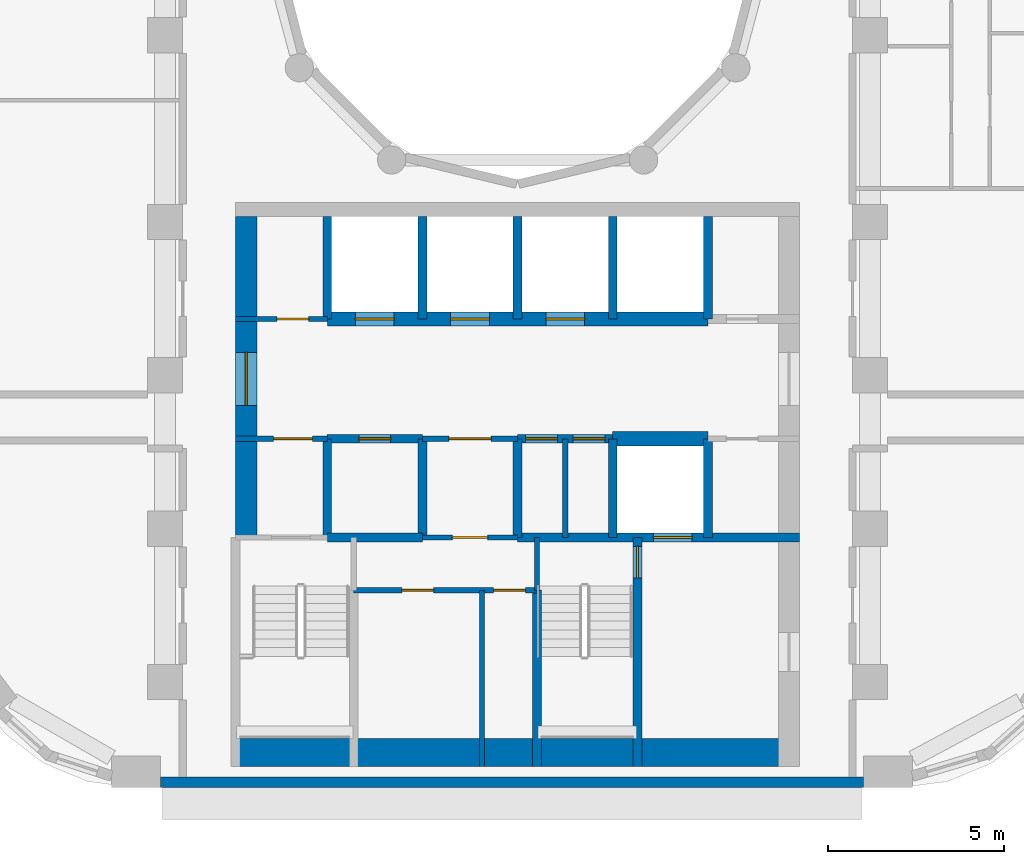
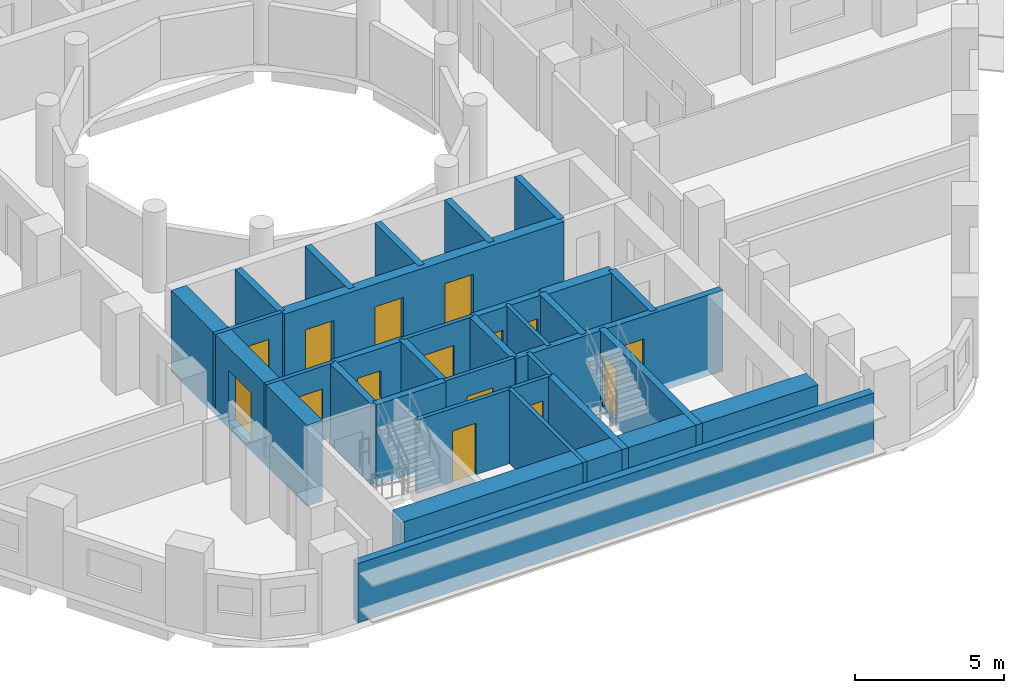
# One storey, part 3 of 13: 29 walls, 15 doors, 15 openings.
"""IFC4 building model written with IfcOpenShell, lengths in metres."""

from ifc_helpers import new_model, si_unit, direction, frame, frame_2d, origin, place, context, subcontext, project, spatial, rectangle, extrude, material, layer, layer_set, type_object, element, fill, save


model = new_model("IFC4")

# Units and contexts
model_context = context("Model", 3, precision=1e-05, world=origin(), true_north=direction((0.0, 1.0)))
body_context = subcontext(model_context, "Body", "Model", "MODEL_VIEW")
ifc_project = project(units=[si_unit("LENGTHUNIT", "METRE"), si_unit("AREAUNIT", "SQUARE_METRE"), si_unit("VOLUMEUNIT", "CUBIC_METRE"), si_unit("PLANEANGLEUNIT", "RADIAN"), si_unit("MASSUNIT", "GRAM", prefix="KILO")], contexts=[model_context])

# Site, building, storey
site_placement = place(None, origin())
site = spatial("IfcSite", under=ifc_project, at=site_placement, CompositionType="ELEMENT")
building_placement = place(site_placement, origin())
building = spatial("IfcBuilding", under=site, at=building_placement, Name="Nakaniwa Court", CompositionType="ELEMENT")
storey_placement = place(building_placement, frame((0.0, 0.0, 81.0)))
storey = spatial("IfcBuildingStorey", under=building, at=storey_placement, Name="L20", CompositionType="ELEMENT", Elevation=81.0)

# Wall
ifc_material_1 = material(Name="Charcoal ceramic cladding")
ifc_layer_1 = layer(ifc_material_1, 0.02, Name="Ceramic cladding")
ifc_material_2 = material(Name="Ventilated air cavity")
ifc_layer_2 = layer(ifc_material_2, 0.04, ventilated=True, Name="Ventilated cavity")
ifc_material_3 = material(Name="Mineral wool insulation")
ifc_layer_3 = layer(ifc_material_3, 0.1, Name="Insulation")
ifc_material_4 = material(Name="Cement bonded sheathing board")
ifc_layer_4 = layer(ifc_material_4, 0.012, Name="Sheathing")
ifc_material_5 = material(Name="Cold-formed galvanised stud frame with mineral wool infill")
ifc_layer_5 = layer(ifc_material_5, 0.1, Name="Stud frame")
ifc_material_6 = material(Name="Fire-rated gypsum plasterboard lining")
ifc_layer_6 = layer(ifc_material_6, 0.028, Name="Lining")
ifc_layer_set_1 = layer_set([ifc_layer_1, ifc_layer_2, ifc_layer_3, ifc_layer_4, ifc_layer_5, ifc_layer_6], Name="Charcoal ceramic faced external wall system")
wall_type_1 = type_object("IfcWallType", Name="Black ceramic faced external wall 300", PredefinedType="SOLIDWALL", material=ifc_layer_set_1)
wall_1_placement = place(storey_placement, frame((69.871337890625, 56.14990234375, 0.0), z_axis=(0.0, 0.0, 1.0), x_axis=(1.0, 0.0, 0.0)))
element("IfcWall", 1, at=wall_1_placement, inside=storey, type_object=wall_type_1, Name="L20 external wall 26", PredefinedType="SOLIDWALL", context=body_context, shape_type="SweptSolid", body=[
    extrude(rectangle(XDim=19.939697265625, YDim=0.300048828125, at=frame_2d((9.9697265625, 0.0))), origin(), (0.0, 0.0, 1.0), 2.425048828125),
])

# Wall, opening, door
ifc_material_7 = material(Name="Blockwork partition", Category="masonry")
ifc_layer_7 = layer(ifc_material_7, 0.14990234375)
ifc_layer_set_2 = layer_set([ifc_layer_7], Name="Blockwork partition")
wall_type_2 = type_object("IfcWallType", Name="Blockwork partition 150", PredefinedType="PARTITIONING", material=ifc_layer_set_2)
wall_2_placement = place(storey_placement, frame((72.0, 69.300048828125, 0.0), z_axis=(0.0, 0.0, 1.0), x_axis=(1.0, 0.0, 0.0)))
wall_2 = element("IfcWall", 2, at=wall_2_placement, inside=storey, type_object=wall_type_2, Name="Partition PW-037", PredefinedType="PARTITIONING", context=body_context, shape_type="SweptSolid", body=[
    extrude(rectangle(XDim=2.60009765625, YDim=0.14990234375, at=frame_2d((1.300048828125, 0.0))), origin(), (0.0, 0.0, 1.0), 3.02490234375),
])
opening_1_placement = place(wall_2_placement, frame((1.175048828125, 0.0, 0.0)))
opening_1 = element("IfcOpeningElement", 3, at=opening_1_placement, cuts=wall_2, Name="Opening D-05-09", PredefinedType="OPENING", context=body_context, shape_type="SweptSolid", body=[
    extrude(rectangle(XDim=0.89990234375, YDim=2.10009765625, at=frame_2d((0.449951171875, 1.050048828125))), frame((0.0, 0.0849609375, 0.0), z_axis=(0.0, -1.0, 0.0), x_axis=(1.0, 0.0, 0.0)), (0.0, 0.0, 1.0), 0.169921875),
])
ifc_material_8 = material(Name="Fire rated steel door set", Category="steel")
door_type_1 = type_object("IfcDoorType", Name="Service room door 900", OperationType="NOTDEFINED", PredefinedType="DOOR", material=ifc_material_8)
door_1_placement = place(opening_1_placement, origin())
door_1 = element("IfcDoor", 4, at=door_1_placement, inside=storey, type_object=door_type_1, Name="Door D-05-09 L20-014", OperationType="SINGLE_SWING_LEFT", OverallHeight=2.10009765625, OverallWidth=0.89990234375, PredefinedType="DOOR", context=body_context, shape_type="SweptSolid", body=[
    extrude(rectangle(XDim=0.89990234375, YDim=2.10009765625, at=frame_2d((0.449951171875, 1.050048828125))), frame((0.0, 0.02490234375, 0.0), z_axis=(0.0, -1.0, 0.0), x_axis=(1.0, 0.0, 0.0)), (0.0, 0.0, 1.0), 0.050048828125),
])
fill(opening_1, door_1)

wall_3_placement = place(storey_placement, frame((74.60302734375, 65.89990234375, 0.0), z_axis=(0.0, 0.0, 1.0), x_axis=(-1.0, 0.0, 0.0)))
wall_3 = element("IfcWall", 5, at=wall_3_placement, inside=storey, type_object=wall_type_2, Name="Partition PW-050", PredefinedType="PARTITIONING", context=body_context, shape_type="SweptSolid", body=[
    extrude(rectangle(XDim=2.60302734375, YDim=0.14990234375, at=frame_2d((1.301513671875, 0.0))), origin(), (0.0, 0.0, 1.0), 3.02490234375),
])
opening_2_placement = place(wall_3_placement, frame((0.427978515625, 0.0, 0.0)))
opening_2 = element("IfcOpeningElement", 6, at=opening_2_placement, cuts=wall_3, Name="Opening D-08-02", PredefinedType="OPENING", context=body_context, shape_type="SweptSolid", body=[
    extrude(rectangle(XDim=1.10009765625, YDim=2.10009765625, at=frame_2d((0.550048828125, 1.050048828125))), frame((0.0, 0.0849609375, 0.0), z_axis=(0.0, -1.0, 0.0), x_axis=(1.0, 0.0, 0.0)), (0.0, 0.0, 1.0), 0.169921875),
])
door_type_2 = type_object("IfcDoorType", Name="Stair lobby door 1100", OperationType="NOTDEFINED", PredefinedType="DOOR", material=ifc_material_8)
door_2_placement = place(opening_2_placement, origin())
door_2 = element("IfcDoor", 7, at=door_2_placement, inside=storey, type_object=door_type_2, Name="Door D-08-02 L20-016", OperationType="SINGLE_SWING_LEFT", OverallHeight=2.10009765625, OverallWidth=1.10009765625, PredefinedType="DOOR", context=body_context, shape_type="SweptSolid", body=[
    extrude(rectangle(XDim=1.10009765625, YDim=2.10009765625, at=frame_2d((0.550048828125, 1.050048828125))), frame((0.0, 0.02490234375, 0.0), z_axis=(0.0, -1.0, 0.0), x_axis=(1.0, 0.0, 0.0)), (0.0, 0.0, 1.0), 0.050048828125),
])
fill(opening_2, door_2)

wall_4_placement = place(storey_placement, frame((80.0029296875, 65.89990234375, 0.0), z_axis=(0.0, 0.0, 1.0), x_axis=(-1.0, 0.0, 0.0)))
wall_4 = element("IfcWall", 8, at=wall_4_placement, inside=storey, type_object=wall_type_2, Name="Partition PW-051", PredefinedType="PARTITIONING", context=body_context, shape_type="SweptSolid", body=[
    extrude(rectangle(XDim=2.705810546875, YDim=0.14990234375, at=frame_2d((1.35302734375, 0.0))), origin(), (0.0, 0.0, 1.0), 3.02490234375),
])
opening_3_placement = place(wall_4_placement, frame((0.7529296875, 0.0, 0.0)))
opening_3 = element("IfcOpeningElement", 9, at=opening_3_placement, cuts=wall_4, Name="Opening D-06-02", PredefinedType="OPENING", context=body_context, shape_type="SweptSolid", body=[
    extrude(rectangle(XDim=1.199951171875, YDim=2.10009765625, at=frame_2d((0.60009765625, 1.050048828125))), frame((0.0, 0.0849609375, 0.0), z_axis=(0.0, -1.0, 0.0), x_axis=(1.0, 0.0, 0.0)), (0.0, 0.0, 1.0), 0.169921875),
])
ifc_material_9 = material(Name="Fire rated steel double door set", Category="steel")
door_type_3 = type_object("IfcDoorType", Name="Service passage double door 1200", OperationType="NOTDEFINED", PredefinedType="DOOR", material=ifc_material_9)
door_3_placement = place(opening_3_placement, origin())
door_3 = element("IfcDoor", 10, at=door_3_placement, inside=storey, type_object=door_type_3, Name="Door D-06-02 L20-018", OperationType="DOUBLE_DOOR_SINGLE_SWING", OverallHeight=2.10009765625, OverallWidth=1.199951171875, PredefinedType="DOOR", context=body_context, shape_type="SweptSolid", body=[
    extrude(rectangle(XDim=1.199951171875, YDim=2.10009765625, at=frame_2d((0.60009765625, 1.050048828125))), frame((0.0, 0.02490234375, 0.0), z_axis=(0.0, -1.0, 0.0), x_axis=(1.0, 0.0, 0.0)), (0.0, 0.0, 1.0), 0.050048828125),
])
fill(opening_3, door_3)

wall_5_placement = place(storey_placement, frame((80.0, 63.10009765625, 0.0), z_axis=(0.0, 0.0, 1.0), x_axis=(-1.0, 0.0, 0.0)))
wall_5 = element("IfcWall", 11, at=wall_5_placement, inside=storey, type_object=wall_type_2, Name="Partition PW-059", PredefinedType="PARTITIONING", context=body_context, shape_type="SweptSolid", body=[
    extrude(rectangle(XDim=2.699951171875, YDim=0.14990234375, at=frame_2d((1.35009765625, 0.0))), origin(), (0.0, 0.0, 1.0), 3.02490234375),
])
opening_4_placement = place(wall_5_placement, frame((0.85009765625, 0.0, 0.0)))
opening_4 = element("IfcOpeningElement", 12, at=opening_4_placement, cuts=wall_5, Name="Opening D-23-02", PredefinedType="OPENING", context=body_context, shape_type="SweptSolid", body=[
    extrude(rectangle(XDim=1.0, YDim=2.10009765625, at=frame_2d((0.5, 1.050048828125))), frame((0.0, 0.0849609375, 0.0), z_axis=(0.0, -1.0, 0.0), x_axis=(1.0, 0.0, 0.0)), (0.0, 0.0, 1.0), 0.169921875),
])
door_type_4 = type_object("IfcDoorType", Name="Service room door 1000", OperationType="NOTDEFINED", PredefinedType="DOOR", material=ifc_material_8)
door_4_placement = place(opening_4_placement, origin())
door_4 = element("IfcDoor", 13, at=door_4_placement, inside=storey, type_object=door_type_4, Name="Door D-23-02 L20-022", OperationType="SINGLE_SWING_LEFT", OverallHeight=2.10009765625, OverallWidth=1.0, PredefinedType="DOOR", context=body_context, shape_type="SweptSolid", body=[
    extrude(rectangle(XDim=1.0, YDim=2.10009765625, at=frame_2d((0.5, 1.050048828125))), frame((0.0, 0.02490234375, 0.0), z_axis=(0.0, -1.0, 0.0), x_axis=(1.0, 0.0, 0.0)), (0.0, 0.0, 1.0), 0.050048828125),
])
fill(opening_4, door_4)

# Wall
wall_6_placement = place(storey_placement, frame((81.35009765625, 63.10009765625, 0.0), z_axis=(0.0, 0.0, 1.0), x_axis=(0.0, 1.0, 0.0)))
element("IfcWall", 14, at=wall_6_placement, inside=storey, type_object=wall_type_2, Name="Partition PW-060", PredefinedType="PARTITIONING", context=body_context, shape_type="SweptSolid", body=[
    extrude(rectangle(XDim=2.7998046875, YDim=0.14990234375, at=frame_2d((1.39990234375, 0.0))), origin(), (0.0, 0.0, 1.0), 3.02490234375),
])

# Wall, openings, doors
wall_7_placement = place(storey_placement, frame((80.550048828125, 61.60009765625, 0.0), z_axis=(0.0, 0.0, 1.0), x_axis=(-1.0, 0.0, 0.0)))
wall_7 = element("IfcWall", 15, at=wall_7_placement, inside=storey, type_object=wall_type_2, Name="Partition PW-067", PredefinedType="PARTITIONING", context=body_context, shape_type="SweptSolid", body=[
    extrude(rectangle(XDim=5.199951171875, YDim=0.14990234375, at=frame_2d((2.60009765625, 0.0))), origin(), (0.0, 0.0, 1.0), 3.02490234375),
])
opening_5_placement = place(wall_7_placement, frame((2.929931640625, 0.0, 0.0)))
opening_5 = element("IfcOpeningElement", 16, at=opening_5_placement, cuts=wall_7, Name="Opening D-05-15", PredefinedType="OPENING", context=body_context, shape_type="SweptSolid", body=[
    extrude(rectangle(XDim=0.89990234375, YDim=2.10009765625, at=frame_2d((0.449951171875, 1.050048828125))), frame((0.0, 0.0849609375, 0.0), z_axis=(0.0, -1.0, 0.0), x_axis=(1.0, 0.0, 0.0)), (0.0, 0.0, 1.0), 0.169921875),
])
opening_6_placement = place(wall_7_placement, frame((0.330078125, 0.0, 0.0)))
opening_6 = element("IfcOpeningElement", 17, at=opening_6_placement, cuts=wall_7, Name="Opening D-05-16", PredefinedType="OPENING", context=body_context, shape_type="SweptSolid", body=[
    extrude(rectangle(XDim=0.89990234375, YDim=2.10009765625, at=frame_2d((0.449951171875, 1.050048828125))), frame((0.0, 0.0849609375, 0.0), z_axis=(0.0, -1.0, 0.0), x_axis=(1.0, 0.0, 0.0)), (0.0, 0.0, 1.0), 0.169921875),
])
door_5_placement = place(opening_5_placement, origin())
door_5 = element("IfcDoor", 18, at=door_5_placement, inside=storey, type_object=door_type_1, Name="Door D-05-15 L20-023", OperationType="SINGLE_SWING_RIGHT", OverallHeight=2.10009765625, OverallWidth=0.89990234375, PredefinedType="DOOR", context=body_context, shape_type="SweptSolid", body=[
    extrude(rectangle(XDim=0.89990234375, YDim=2.10009765625, at=frame_2d((0.449951171875, 1.050048828125))), frame((0.0, 0.02490234375, 0.0), z_axis=(0.0, -1.0, 0.0), x_axis=(1.0, 0.0, 0.0)), (0.0, 0.0, 1.0), 0.050048828125),
])
fill(opening_5, door_5)
door_6_placement = place(opening_6_placement, origin())
door_6 = element("IfcDoor", 19, at=door_6_placement, inside=storey, type_object=door_type_1, Name="Door D-05-16 L20-024", OperationType="SINGLE_SWING_LEFT", OverallHeight=2.10009765625, OverallWidth=0.89990234375, PredefinedType="DOOR", context=body_context, shape_type="SweptSolid", body=[
    extrude(rectangle(XDim=0.89990234375, YDim=2.10009765625, at=frame_2d((0.449951171875, 1.050048828125))), frame((0.0, 0.02490234375, 0.0), z_axis=(0.0, -1.0, 0.0), x_axis=(1.0, 0.0, 0.0)), (0.0, 0.0, 1.0), 0.050048828125),
])
fill(opening_6, door_6)

# Wall
wall_8_placement = place(storey_placement, frame((78.989990234375, 56.60009765625, 0.0), z_axis=(0.0, 0.0, 1.0), x_axis=(0.0, 1.0, 0.0)))
element("IfcWall", 20, at=wall_8_placement, inside=storey, type_object=wall_type_2, Name="Partition PW-068", PredefinedType="PARTITIONING", context=body_context, shape_type="SweptSolid", body=[
    extrude(rectangle(XDim=5.0, YDim=0.14990234375, at=frame_2d((2.5, 0.0))), origin(), (0.0, 0.0, 1.0), 3.02490234375),
])

# Wall, opening, door
ifc_material_10 = material(Name="Concrete C80/100", Category="concrete")
ifc_layer_8 = layer(ifc_material_10, 0.60009765625)
ifc_layer_set_3 = layer_set([ifc_layer_8], Name="Concrete C80/100")
wall_type_3 = type_object("IfcWallType", Name="Concrete core side wall 600 C80", PredefinedType="SHEAR", material=ifc_layer_set_3)
wall_9_placement = place(storey_placement, frame((72.300048828125, 63.10009765625, -0.27490234375), z_axis=(0.0, 0.0, 1.0), x_axis=(0.0, 1.0, 0.0)))
wall_9 = element("IfcWall", 21, at=wall_9_placement, inside=storey, type_object=wall_type_3, Name="Core wall SW-38", PredefinedType="SHEAR", context=body_context, shape_type="SweptSolid", body=[
    extrude(rectangle(XDim=9.099853515625, YDim=0.60009765625, at=frame_2d((4.5498046875, 0.0))), origin(), (0.0, 0.0, 1.0), 3.2998046875),
])
opening_7_placement = place(wall_9_placement, frame((3.75, 0.0, 0.27490234375)))
opening_7 = element("IfcOpeningElement", 22, at=opening_7_placement, cuts=wall_9, Name="Opening D-07-04", PredefinedType="OPENING", context=body_context, shape_type="SweptSolid", body=[
    extrude(rectangle(XDim=1.5, YDim=2.10009765625, at=frame_2d((0.75, 1.050048828125))), frame((0.0, 0.31005859375, 0.0), z_axis=(0.0, -1.0, 0.0), x_axis=(1.0, 0.0, 0.0)), (0.0, 0.0, 1.0), 0.6201171875),
])
ifc_material_11 = material(Name="Glazed fire rated steel double door set", Category="steel")
door_type_5 = type_object("IfcDoorType", Name="Lobby double door 1500", OperationType="NOTDEFINED", PredefinedType="DOOR", material=ifc_material_11)
door_7_placement = place(opening_7_placement, origin())
door_7 = element("IfcDoor", 23, at=door_7_placement, inside=storey, type_object=door_type_5, Name="Door D-07-04 L20-051", OperationType="DOUBLE_DOOR_SINGLE_SWING", OverallHeight=2.10009765625, OverallWidth=1.5, PredefinedType="DOOR", context=body_context, shape_type="SweptSolid", body=[
    extrude(rectangle(XDim=1.5, YDim=2.10009765625, at=frame_2d((0.75, 1.050048828125))), frame((0.0, 0.02490234375, 0.0), z_axis=(0.0, -1.0, 0.0), x_axis=(1.0, 0.0, 0.0)), (0.0, 0.0, 1.0), 0.050048828125),
])
fill(opening_7, door_7)

# Wall, openings, doors
ifc_layer_9 = layer(ifc_material_10, 0.39990234375)
ifc_layer_set_4 = layer_set([ifc_layer_9], Name="Concrete C80/100")
wall_type_4 = type_object("IfcWallType", Name="Concrete core spine wall 400 C80", PredefinedType="SHEAR", material=ifc_layer_set_4)
wall_10_placement = place(storey_placement, frame((74.60009765625, 69.300048828125, -0.27490234375), z_axis=(0.0, 0.0, 1.0), x_axis=(1.0, 0.0, 0.0)))
wall_10 = element("IfcWall", 24, at=wall_10_placement, inside=storey, type_object=wall_type_4, Name="Core wall SW-41", PredefinedType="SHEAR", context=body_context, shape_type="SweptSolid", body=[
    extrude(rectangle(XDim=10.7998046875, YDim=0.39990234375, at=frame_2d((5.39990234375, 0.0))), origin(), (0.0, 0.0, 1.0), 3.2998046875),
])
opening_8_placement = place(wall_10_placement, frame((0.800048828125, 0.0, 0.27490234375)))
opening_8 = element("IfcOpeningElement", 25, at=opening_8_placement, cuts=wall_10, Name="Opening LD05", PredefinedType="OPENING", context=body_context, shape_type="SweptSolid", body=[
    extrude(rectangle(XDim=1.10009765625, YDim=2.10009765625, at=frame_2d((0.550048828125, 1.050048828125))), frame((0.0, 0.2099609375, 0.0), z_axis=(0.0, -1.0, 0.0), x_axis=(1.0, 0.0, 0.0)), (0.0, 0.0, 1.0), 0.419921875),
])
opening_9_placement = place(wall_10_placement, frame((3.5, 0.0, 0.27490234375)))
opening_9 = element("IfcOpeningElement", 26, at=opening_9_placement, cuts=wall_10, Name="Opening LD06", PredefinedType="OPENING", context=body_context, shape_type="SweptSolid", body=[
    extrude(rectangle(XDim=1.10009765625, YDim=2.10009765625, at=frame_2d((0.550048828125, 1.050048828125))), frame((0.0, 0.2099609375, 0.0), z_axis=(0.0, -1.0, 0.0), x_axis=(1.0, 0.0, 0.0)), (0.0, 0.0, 1.0), 0.419921875),
])
opening_10_placement = place(wall_10_placement, frame((6.199951171875, 0.0, 0.27490234375)))
opening_10 = element("IfcOpeningElement", 27, at=opening_10_placement, cuts=wall_10, Name="Opening LD07", PredefinedType="OPENING", context=body_context, shape_type="SweptSolid", body=[
    extrude(rectangle(XDim=1.10009765625, YDim=2.10009765625, at=frame_2d((0.550048828125, 1.050048828125))), frame((0.0, 0.2099609375, 0.0), z_axis=(0.0, -1.0, 0.0), x_axis=(1.0, 0.0, 0.0)), (0.0, 0.0, 1.0), 0.419921875),
])
ifc_material_12 = material(Name="Stainless steel sliding lift landing door", Category="steel")
door_type_6 = type_object("IfcDoorType", Name="Lift landing door 1100", OperationType="NOTDEFINED", PredefinedType="DOOR", material=ifc_material_12)
door_8_placement = place(opening_8_placement, origin())
door_8 = element("IfcDoor", 28, at=door_8_placement, inside=storey, type_object=door_type_6, Name="Lift landing door LD05 L20-005", OperationType="SLIDING_TO_LEFT", OverallHeight=2.10009765625, OverallWidth=1.10009765625, PredefinedType="DOOR", context=body_context, shape_type="SweptSolid", body=[
    extrude(rectangle(XDim=1.10009765625, YDim=2.10009765625, at=frame_2d((0.550048828125, 1.050048828125))), frame((0.0, 0.02490234375, 0.0), z_axis=(0.0, -1.0, 0.0), x_axis=(1.0, 0.0, 0.0)), (0.0, 0.0, 1.0), 0.050048828125),
])
fill(opening_8, door_8)
door_9_placement = place(opening_9_placement, origin())
door_9 = element("IfcDoor", 29, at=door_9_placement, inside=storey, type_object=door_type_6, Name="Lift landing door LD06 L20-006", OperationType="SLIDING_TO_LEFT", OverallHeight=2.10009765625, OverallWidth=1.10009765625, PredefinedType="DOOR", context=body_context, shape_type="SweptSolid", body=[
    extrude(rectangle(XDim=1.10009765625, YDim=2.10009765625, at=frame_2d((0.550048828125, 1.050048828125))), frame((0.0, 0.02490234375, 0.0), z_axis=(0.0, -1.0, 0.0), x_axis=(1.0, 0.0, 0.0)), (0.0, 0.0, 1.0), 0.050048828125),
])
fill(opening_9, door_9)
door_10_placement = place(opening_10_placement, origin())
door_10 = element("IfcDoor", 30, at=door_10_placement, inside=storey, type_object=door_type_6, Name="Lift landing door LD07 L20-007", OperationType="SLIDING_TO_LEFT", OverallHeight=2.10009765625, OverallWidth=1.10009765625, PredefinedType="DOOR", context=body_context, shape_type="SweptSolid", body=[
    extrude(rectangle(XDim=1.10009765625, YDim=2.10009765625, at=frame_2d((0.550048828125, 1.050048828125))), frame((0.0, 0.02490234375, 0.0), z_axis=(0.0, -1.0, 0.0), x_axis=(1.0, 0.0, 0.0)), (0.0, 0.0, 1.0), 0.050048828125),
])
fill(opening_10, door_10)

# Walls
wall_11_placement = place(storey_placement, frame((82.697021484375, 65.89990234375, -0.27490234375), z_axis=(0.0, 0.0, 1.0), x_axis=(1.0, 0.0, 0.0)))
element("IfcWall", 31, at=wall_11_placement, inside=storey, type_object=wall_type_4, Name="Core wall SW-55", PredefinedType="SHEAR", context=body_context, shape_type="SweptSolid", body=[
    extrude(rectangle(XDim=2.7060546875, YDim=0.39990234375, at=frame_2d((1.35302734375, 0.0))), origin(), (0.0, 0.0, 1.0), 3.2998046875),
])
ifc_layer_10 = layer(ifc_material_10, 0.14990234375)
ifc_layer_set_5 = layer_set([ifc_layer_10], Name="Concrete C80/100")
wall_type_5 = type_object("IfcWallType", Name="Concrete core wall 150 C80", PredefinedType="SHEAR", material=ifc_layer_set_5)
wall_12_placement = place(storey_placement, frame((80.550048828125, 61.596923828125, -0.27490234375), z_axis=(0.0, 0.0, 1.0), x_axis=(0.0, 1.0, 0.0)))
element("IfcWall", 32, at=wall_12_placement, inside=storey, type_object=wall_type_5, Name="Core wall SW-65", PredefinedType="SHEAR", context=body_context, shape_type="SweptSolid", body=[
    extrude(rectangle(XDim=1.503173828125, YDim=0.14990234375, at=frame_2d((0.75146484375, 0.0))), origin(), (0.0, 0.0, 1.0), 3.2998046875),
])
ifc_layer_11 = layer(ifc_material_10, 0.800048828125)
ifc_layer_set_6 = layer_set([ifc_layer_11], Name="Concrete C80/100")
wall_type_6 = type_object("IfcWallType", Name="Concrete core wall 800 C80", PredefinedType="SHEAR", material=ifc_layer_set_6)
wall_13_placement = place(storey_placement, frame((72.00390625, 57.0, -0.27490234375), z_axis=(0.0, 0.0, 1.0), x_axis=(1.0, 0.0, 0.0)))
element("IfcWall", 33, at=wall_13_placement, inside=storey, type_object=wall_type_6, Name="Core wall SW-125", PredefinedType="SHEAR", context=body_context, shape_type="SweptSolid", body=[
    extrude(rectangle(XDim=15.9921875, YDim=0.800048828125, at=frame_2d((7.99609375, 0.0))), origin(), (0.0, 0.0, 1.0), 3.2998046875),
])
ifc_layer_12 = layer(ifc_material_10, 0.25)
ifc_layer_set_7 = layer_set([ifc_layer_12], Name="Concrete C80/100")
wall_type_7 = type_object("IfcWallType", Name="Concrete shaft wall 250 C80", PredefinedType="SHEAR", material=ifc_layer_set_7)
wall_14_placement = place(storey_placement, frame((74.60009765625, 63.10009765625, -0.27490234375), z_axis=(0.0, 0.0, 1.0), x_axis=(0.0, 1.0, 0.0)))
element("IfcWall", 34, at=wall_14_placement, inside=storey, type_object=wall_type_7, Name="Core wall SW-35", PredefinedType="SHEAR", context=body_context, shape_type="SweptSolid", body=[
    extrude(rectangle(XDim=2.7998046875, YDim=0.25, at=frame_2d((1.39990234375, 0.0))), origin(), (0.0, 0.0, 1.0), 3.2998046875),
])
wall_15_placement = place(storey_placement, frame((74.60009765625, 69.300048828125, -0.27490234375), z_axis=(0.0, 0.0, 1.0), x_axis=(0.0, 1.0, 0.0)))
element("IfcWall", 35, at=wall_15_placement, inside=storey, type_object=wall_type_7, Name="Core wall SW-36", PredefinedType="SHEAR", context=body_context, shape_type="SweptSolid", body=[
    extrude(rectangle(XDim=2.89990234375, YDim=0.25, at=frame_2d((1.449951171875, 0.0))), origin(), (0.0, 0.0, 1.0), 3.2998046875),
])
wall_16_placement = place(storey_placement, frame((77.300048828125, 63.10009765625, -0.27490234375), z_axis=(0.0, 0.0, 1.0), x_axis=(0.0, 1.0, 0.0)))
element("IfcWall", 36, at=wall_16_placement, inside=storey, type_object=wall_type_7, Name="Core wall SW-39", PredefinedType="SHEAR", context=body_context, shape_type="SweptSolid", body=[
    extrude(rectangle(XDim=2.7998046875, YDim=0.25, at=frame_2d((1.39990234375, 0.0))), origin(), (0.0, 0.0, 1.0), 3.2998046875),
])
wall_17_placement = place(storey_placement, frame((77.300048828125, 69.300048828125, -0.27490234375), z_axis=(0.0, 0.0, 1.0), x_axis=(0.0, 1.0, 0.0)))
element("IfcWall", 37, at=wall_17_placement, inside=storey, type_object=wall_type_7, Name="Core wall SW-40", PredefinedType="SHEAR", context=body_context, shape_type="SweptSolid", body=[
    extrude(rectangle(XDim=2.89990234375, YDim=0.25, at=frame_2d((1.449951171875, 0.0))), origin(), (0.0, 0.0, 1.0), 3.2998046875),
])
wall_18_placement = place(storey_placement, frame((80.0, 63.10009765625, -0.27490234375), z_axis=(0.0, 0.0, 1.0), x_axis=(0.0, 1.0, 0.0)))
element("IfcWall", 38, at=wall_18_placement, inside=storey, type_object=wall_type_7, Name="Core wall SW-42", PredefinedType="SHEAR", context=body_context, shape_type="SweptSolid", body=[
    extrude(rectangle(XDim=2.7998046875, YDim=0.25, at=frame_2d((1.39990234375, 0.0))), origin(), (0.0, 0.0, 1.0), 3.2998046875),
])
wall_19_placement = place(storey_placement, frame((80.0, 69.300048828125, -0.27490234375), z_axis=(0.0, 0.0, 1.0), x_axis=(0.0, 1.0, 0.0)))
element("IfcWall", 39, at=wall_19_placement, inside=storey, type_object=wall_type_7, Name="Core wall SW-43", PredefinedType="SHEAR", context=body_context, shape_type="SweptSolid", body=[
    extrude(rectangle(XDim=2.89990234375, YDim=0.25, at=frame_2d((1.449951171875, 0.0))), origin(), (0.0, 0.0, 1.0), 3.2998046875),
])
wall_20_placement = place(storey_placement, frame((82.699951171875, 63.10009765625, -0.27490234375), z_axis=(0.0, 0.0, 1.0), x_axis=(0.0, 1.0, 0.0)))
element("IfcWall", 40, at=wall_20_placement, inside=storey, type_object=wall_type_7, Name="Core wall SW-44", PredefinedType="SHEAR", context=body_context, shape_type="SweptSolid", body=[
    extrude(rectangle(XDim=2.7998046875, YDim=0.25, at=frame_2d((1.39990234375, 0.0))), origin(), (0.0, 0.0, 1.0), 3.2998046875),
])
wall_21_placement = place(storey_placement, frame((82.699951171875, 69.300048828125, -0.27490234375), z_axis=(0.0, 0.0, 1.0), x_axis=(0.0, 1.0, 0.0)))
element("IfcWall", 41, at=wall_21_placement, inside=storey, type_object=wall_type_7, Name="Core wall SW-45", PredefinedType="SHEAR", context=body_context, shape_type="SweptSolid", body=[
    extrude(rectangle(XDim=2.89990234375, YDim=0.25, at=frame_2d((1.449951171875, 0.0))), origin(), (0.0, 0.0, 1.0), 3.2998046875),
])
wall_22_placement = place(storey_placement, frame((85.39990234375, 63.10009765625, -0.27490234375), z_axis=(0.0, 0.0, 1.0), x_axis=(0.0, 1.0, 0.0)))
element("IfcWall", 42, at=wall_22_placement, inside=storey, type_object=wall_type_7, Name="Core wall SW-46", PredefinedType="SHEAR", context=body_context, shape_type="SweptSolid", body=[
    extrude(rectangle(XDim=2.7998046875, YDim=0.25, at=frame_2d((1.39990234375, 0.0))), origin(), (0.0, 0.0, 1.0), 3.2998046875),
])
wall_23_placement = place(storey_placement, frame((85.39990234375, 69.300048828125, -0.27490234375), z_axis=(0.0, 0.0, 1.0), x_axis=(0.0, 1.0, 0.0)))
element("IfcWall", 43, at=wall_23_placement, inside=storey, type_object=wall_type_7, Name="Core wall SW-47", PredefinedType="SHEAR", context=body_context, shape_type="SweptSolid", body=[
    extrude(rectangle(XDim=2.89990234375, YDim=0.25, at=frame_2d((1.449951171875, 0.0))), origin(), (0.0, 0.0, 1.0), 3.2998046875),
])

# Wall, opening, door
wall_24_placement = place(storey_placement, frame((77.302978515625, 65.89990234375, -0.27490234375), z_axis=(0.0, 0.0, 1.0), x_axis=(-1.0, 0.0, 0.0)))
wall_24 = element("IfcWall", 44, at=wall_24_placement, inside=storey, type_object=wall_type_7, Name="Core wall SW-53", PredefinedType="SHEAR", context=body_context, shape_type="SweptSolid", body=[
    extrude(rectangle(XDim=2.7060546875, YDim=0.25, at=frame_2d((1.35302734375, 0.0))), origin(), (0.0, 0.0, 1.0), 3.2998046875),
])
opening_11_placement = place(wall_24_placement, frame((0.903076171875, 0.0, 0.27490234375)))
opening_11 = element("IfcOpeningElement", 45, at=opening_11_placement, cuts=wall_24, Name="Opening D-05-11", PredefinedType="OPENING", context=body_context, shape_type="SweptSolid", body=[
    extrude(rectangle(XDim=0.89990234375, YDim=2.10009765625, at=frame_2d((0.449951171875, 1.050048828125))), frame((0.0, 0.135009765625, 0.0), z_axis=(0.0, -1.0, 0.0), x_axis=(1.0, 0.0, 0.0)), (0.0, 0.0, 1.0), 0.27001953125),
])
door_11_placement = place(opening_11_placement, origin())
door_11 = element("IfcDoor", 46, at=door_11_placement, inside=storey, type_object=door_type_1, Name="Door D-05-11 L20-017", OperationType="SINGLE_SWING_RIGHT", OverallHeight=2.10009765625, OverallWidth=0.89990234375, PredefinedType="DOOR", context=body_context, shape_type="SweptSolid", body=[
    extrude(rectangle(XDim=0.89990234375, YDim=2.10009765625, at=frame_2d((0.449951171875, 1.050048828125))), frame((0.0, 0.02490234375, 0.0), z_axis=(0.0, -1.0, 0.0), x_axis=(1.0, 0.0, 0.0)), (0.0, 0.0, 1.0), 0.050048828125),
])
fill(opening_11, door_11)

# Wall, openings, doors
wall_25_placement = place(storey_placement, frame((82.702880859375, 65.89990234375, -0.27490234375), z_axis=(0.0, 0.0, 1.0), x_axis=(-1.0, 0.0, 0.0)))
wall_25 = element("IfcWall", 47, at=wall_25_placement, inside=storey, type_object=wall_type_7, Name="Core wall SW-54", PredefinedType="SHEAR", context=body_context, shape_type="SweptSolid", body=[
    extrude(rectangle(XDim=2.705810546875, YDim=0.25, at=frame_2d((1.35302734375, 0.0))), origin(), (0.0, 0.0, 1.0), 3.2998046875),
])
opening_12_placement = place(wall_25_placement, frame((1.577880859375, 0.0, 0.27490234375)))
opening_12 = element("IfcOpeningElement", 48, at=opening_12_placement, cuts=wall_25, Name="Opening D-05-12", PredefinedType="OPENING", context=body_context, shape_type="SweptSolid", body=[
    extrude(rectangle(XDim=0.89990234375, YDim=2.10009765625, at=frame_2d((0.449951171875, 1.050048828125))), frame((0.0, 0.135009765625, 0.0), z_axis=(0.0, -1.0, 0.0), x_axis=(1.0, 0.0, 0.0)), (0.0, 0.0, 1.0), 0.27001953125),
])
opening_13_placement = place(wall_25_placement, frame((0.22802734375, 0.0, 0.27490234375)))
opening_13 = element("IfcOpeningElement", 49, at=opening_13_placement, cuts=wall_25, Name="Opening D-05-13", PredefinedType="OPENING", context=body_context, shape_type="SweptSolid", body=[
    extrude(rectangle(XDim=0.89990234375, YDim=2.10009765625, at=frame_2d((0.449951171875, 1.050048828125))), frame((0.0, 0.135009765625, 0.0), z_axis=(0.0, -1.0, 0.0), x_axis=(1.0, 0.0, 0.0)), (0.0, 0.0, 1.0), 0.27001953125),
])
door_12_placement = place(opening_12_placement, origin())
door_12 = element("IfcDoor", 50, at=door_12_placement, inside=storey, type_object=door_type_1, Name="Door D-05-12 L20-019", OperationType="SINGLE_SWING_RIGHT", OverallHeight=2.10009765625, OverallWidth=0.89990234375, PredefinedType="DOOR", context=body_context, shape_type="SweptSolid", body=[
    extrude(rectangle(XDim=0.89990234375, YDim=2.10009765625, at=frame_2d((0.449951171875, 1.050048828125))), frame((0.0, 0.02490234375, 0.0), z_axis=(0.0, -1.0, 0.0), x_axis=(1.0, 0.0, 0.0)), (0.0, 0.0, 1.0), 0.050048828125),
])
fill(opening_12, door_12)
door_13_placement = place(opening_13_placement, origin())
door_13 = element("IfcDoor", 51, at=door_13_placement, inside=storey, type_object=door_type_1, Name="Door D-05-13 L20-020", OperationType="SINGLE_SWING_LEFT", OverallHeight=2.10009765625, OverallWidth=0.89990234375, PredefinedType="DOOR", context=body_context, shape_type="SweptSolid", body=[
    extrude(rectangle(XDim=0.89990234375, YDim=2.10009765625, at=frame_2d((0.449951171875, 1.050048828125))), frame((0.0, 0.02490234375, 0.0), z_axis=(0.0, -1.0, 0.0), x_axis=(1.0, 0.0, 0.0)), (0.0, 0.0, 1.0), 0.050048828125),
])
fill(opening_13, door_13)

# Wall
wall_26_placement = place(storey_placement, frame((74.60009765625, 63.10009765625, -0.27490234375), z_axis=(0.0, 0.0, 1.0), x_axis=(1.0, 0.0, 0.0)))
element("IfcWall", 52, at=wall_26_placement, inside=storey, type_object=wall_type_7, Name="Core wall SW-57", PredefinedType="SHEAR", context=body_context, shape_type="SweptSolid", body=[
    extrude(rectangle(XDim=2.699951171875, YDim=0.25, at=frame_2d((1.35009765625, 0.0))), origin(), (0.0, 0.0, 1.0), 3.2998046875),
])

# Wall, opening, door
wall_27_placement = place(storey_placement, frame((80.0, 63.10009765625, -0.27490234375), z_axis=(0.0, 0.0, 1.0), x_axis=(1.0, 0.0, 0.0)))
wall_27 = element("IfcWall", 53, at=wall_27_placement, inside=storey, type_object=wall_type_7, Name="Core wall SW-58", PredefinedType="SHEAR", context=body_context, shape_type="SweptSolid", body=[
    extrude(rectangle(XDim=8.0, YDim=0.25, at=frame_2d((4.0, 0.0))), origin(), (0.0, 0.0, 1.0), 3.2998046875),
])
opening_14_placement = place(wall_27_placement, frame((3.84912109375, 0.0, 0.27490234375)))
opening_14 = element("IfcOpeningElement", 54, at=opening_14_placement, cuts=wall_27, Name="Opening LD08", PredefinedType="OPENING", context=body_context, shape_type="SweptSolid", body=[
    extrude(rectangle(XDim=1.10009765625, YDim=2.10009765625, at=frame_2d((0.550048828125, 1.050048828125))), frame((0.0, 0.135009765625, 0.0), z_axis=(0.0, -1.0, 0.0), x_axis=(1.0, 0.0, 0.0)), (0.0, 0.0, 1.0), 0.27001953125),
])
door_14_placement = place(opening_14_placement, origin())
door_14 = element("IfcDoor", 55, at=door_14_placement, inside=storey, type_object=door_type_6, Name="Lift landing door LD08 L20-008", OperationType="SLIDING_TO_LEFT", OverallHeight=2.10009765625, OverallWidth=1.10009765625, PredefinedType="DOOR", context=body_context, shape_type="SweptSolid", body=[
    extrude(rectangle(XDim=1.10009765625, YDim=2.10009765625, at=frame_2d((0.550048828125, 1.050048828125))), frame((0.0, 0.02490234375, 0.0), z_axis=(0.0, -1.0, 0.0), x_axis=(1.0, 0.0, 0.0)), (0.0, 0.0, 1.0), 0.050048828125),
])
fill(opening_14, door_14)

wall_28_placement = place(storey_placement, frame((83.39990234375, 63.10009765625, -0.27490234375), z_axis=(0.0, 0.0, 1.0), x_axis=(0.0, -1.0, 0.0)))
wall_28 = element("IfcWall", 56, at=wall_28_placement, inside=storey, type_object=wall_type_7, Name="Core wall SW-64", PredefinedType="SHEAR", context=body_context, shape_type="SweptSolid", body=[
    extrude(rectangle(XDim=6.5, YDim=0.25, at=frame_2d((3.25, 0.0))), origin(), (0.0, 0.0, 1.0), 3.2998046875),
])
opening_15_placement = place(wall_28_placement, frame((0.25, 0.0, 0.27490234375)))
opening_15 = element("IfcOpeningElement", 57, at=opening_15_placement, cuts=wall_28, Name="Opening D-11-02", PredefinedType="OPENING", context=body_context, shape_type="SweptSolid", body=[
    extrude(rectangle(XDim=0.89990234375, YDim=2.10009765625, at=frame_2d((0.449951171875, 1.050048828125))), frame((0.0, 0.135009765625, 0.0), z_axis=(0.0, -1.0, 0.0), x_axis=(1.0, 0.0, 0.0)), (0.0, 0.0, 1.0), 0.27001953125),
])
door_type_7 = type_object("IfcDoorType", Name="Stair door 900", OperationType="NOTDEFINED", PredefinedType="DOOR", material=ifc_material_8)
door_15_placement = place(opening_15_placement, origin())
door_15 = element("IfcDoor", 58, at=door_15_placement, inside=storey, type_object=door_type_7, Name="Door D-11-02 L20-026", OperationType="SINGLE_SWING_RIGHT", OverallHeight=2.10009765625, OverallWidth=0.89990234375, PredefinedType="DOOR", context=body_context, shape_type="SweptSolid", body=[
    extrude(rectangle(XDim=0.89990234375, YDim=2.10009765625, at=frame_2d((0.449951171875, 1.050048828125))), frame((0.0, 0.02490234375, 0.0), z_axis=(0.0, -1.0, 0.0), x_axis=(1.0, 0.0, 0.0)), (0.0, 0.0, 1.0), 0.050048828125),
])
fill(opening_15, door_15)

# Wall
wall_29_placement = place(storey_placement, frame((80.550048828125, 56.60009765625, -0.27490234375), z_axis=(0.0, 0.0, 1.0), x_axis=(0.0, 1.0, 0.0)))
element("IfcWall", 59, at=wall_29_placement, inside=storey, type_object=wall_type_7, Name="Core wall SW-66", PredefinedType="SHEAR", context=body_context, shape_type="SweptSolid", body=[
    extrude(rectangle(XDim=5.0029296875, YDim=0.25, at=frame_2d((2.50146484375, 0.0))), origin(), (0.0, 0.0, 1.0), 3.2998046875),
])

save(model, "model.ifc")
